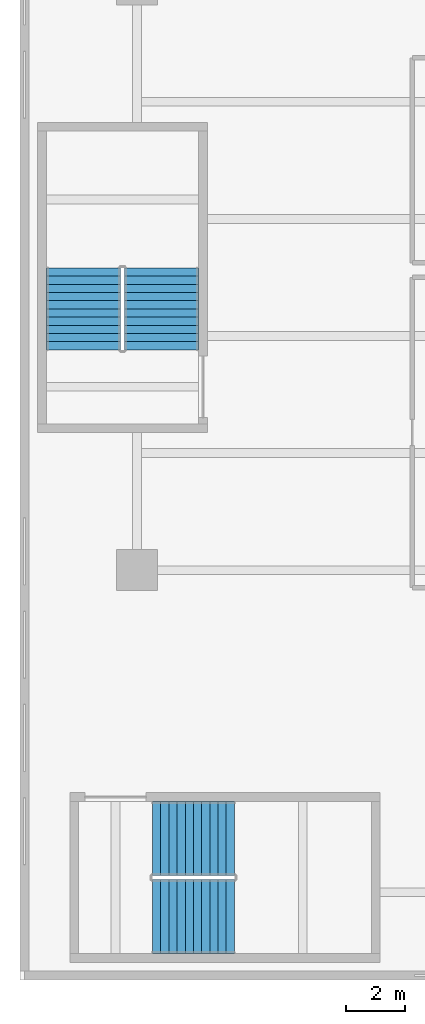
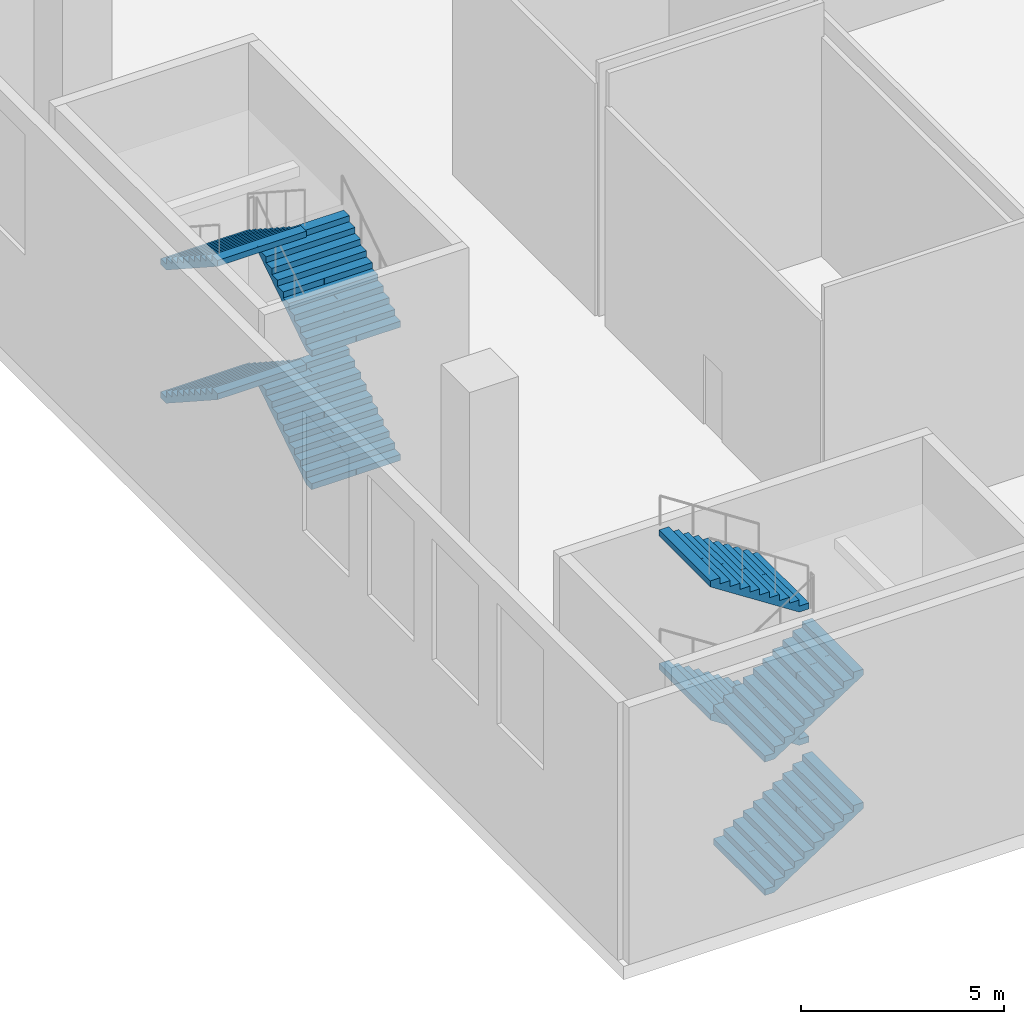
# One storey, part 13 of 27: 8 stair flights, 2 elements without a shape of their own.
"""IFC4 building model written with IfcOpenShell, lengths in metres."""

from ifc_helpers import new_model, si_unit, direction, frame, origin, place, context, subcontext, project, spatial, polyline, outline, extrude, material, type_object, element, aggregate, save


model = new_model("IFC4")

# Units and contexts
model_context = context("Model", 3, precision=1e-05, world=origin(), true_north=direction((0.0, 1.0)))
body_context = subcontext(model_context, "Body", "Model", "MODEL_VIEW")
ifc_project = project(units=[si_unit("LENGTHUNIT", "METRE"), si_unit("AREAUNIT", "SQUARE_METRE"), si_unit("VOLUMEUNIT", "CUBIC_METRE"), si_unit("PLANEANGLEUNIT", "RADIAN"), si_unit("MASSUNIT", "GRAM", prefix="KILO")], contexts=[model_context])

# Site, building, storey
site_placement = place(None, origin())
site = spatial("IfcSite", under=ifc_project, at=site_placement, CompositionType="ELEMENT")
building_placement = place(site_placement, origin())
building = spatial("IfcBuilding", under=site, at=building_placement, Name="Tel Ilan Convention Tower", CompositionType="ELEMENT")
storey_placement = place(building_placement, frame((0.0, 0.0, 18.0)))
storey = spatial("IfcBuildingStorey", under=building, at=storey_placement, Name="L02", CompositionType="ELEMENT", Elevation=18.0)

# Stair, stair flights
ifc_material_1 = material(Name="Concrete C40/50", Category="concrete")
stair_type = type_object("IfcStairType", Name="Pressurised Exit Stair 44 risers 182 mm", PredefinedType="HALF_TURN_STAIR", material=ifc_material_1)
stair_1_placement = place(storey_placement, origin())
stair_1 = element("IfcStair", 1, at=stair_1_placement, inside=storey, type_object=stair_type, Name="L02 Podium Exit Stair P1", PredefinedType="HALF_TURN_STAIR")
ifc_material_2 = material(Name="Precast Concrete C40/50", Category="concrete")
stair_flight_type = type_object("IfcStairFlightType", Name="Concrete Stair Flight 2525 mm 44 risers 182 mm", PredefinedType="STRAIGHT", material=ifc_material_2)
stair_flight_1_placement = place(storey_placement, frame((-45.47509765625, -79.83740234375, 0.0), z_axis=(0.0, 0.0, 1.0), x_axis=(1.0, 0.0, 0.0)))
stair_flight_1 = element("IfcStairFlight", 2, at=stair_flight_1_placement, type_object=stair_flight_type, Name="P1 flight 1", NumberOfRisers=11, NumberOfTreads=10, PredefinedType="STRAIGHT", RiserHeight=0.181818182, TreadLength=0.28, context=body_context, shape_type="SweptSolid", body=[
    extrude(outline(polyline([(0.0, 0.0), (0.0, 0.181884765625), (0.280029296875, 0.181884765625), (0.280029296875, 0.363525390625), (0.56005859375, 0.363525390625), (0.56005859375, 0.54541015625), (0.840087890625, 0.54541015625), (0.840087890625, 0.727294921875), (1.1201171875, 0.727294921875), (1.1201171875, 0.9091796875), (1.39990234375, 0.9091796875), (1.39990234375, 1.0908203125), (1.679931640625, 1.0908203125), (1.679931640625, 1.272705078125), (1.9599609375, 1.272705078125), (1.9599609375, 1.45458984375), (2.239990234375, 1.45458984375), (2.239990234375, 1.636474609375), (2.52001953125, 1.636474609375), (2.52001953125, 1.818115234375), (2.800048828125, 1.818115234375), (2.800048828125, 2.0), (2.800048828125, 1.639404296875), (0.275146484375, 0.0), (0.0, 0.0)])), frame((0.0, -0.100341796875, 0.0), z_axis=(0.0, -1.0, 0.0), x_axis=(1.0, 0.0, 0.0)), (0.0, 0.0, 1.0), 1.162109375),
    extrude(outline(polyline([(0.0, 0.0), (0.0, 0.181884765625), (0.280029296875, 0.181884765625), (0.280029296875, 0.363525390625), (0.56005859375, 0.363525390625), (0.56005859375, 0.54541015625), (0.840087890625, 0.54541015625), (0.840087890625, 0.727294921875), (1.1201171875, 0.727294921875), (1.1201171875, 0.9091796875), (1.39990234375, 0.9091796875), (1.39990234375, 1.0908203125), (1.679931640625, 1.0908203125), (1.679931640625, 1.272705078125), (1.9599609375, 1.272705078125), (1.9599609375, 1.45458984375), (2.239990234375, 1.45458984375), (2.239990234375, 1.636474609375), (2.52001953125, 1.636474609375), (2.52001953125, 1.818115234375), (2.800048828125, 1.818115234375), (2.800048828125, 2.0), (2.800048828125, 1.639404296875), (0.275146484375, 0.0), (0.0, 0.0)])), frame((0.0, -0.000244140625, 0.0), z_axis=(0.0, -1.0, 0.0), x_axis=(1.0, 0.0, 0.0)), (0.0, 0.0, 1.0), 0.099609375),
    extrude(outline(polyline([(0.0, 0.0), (0.0, 0.181884765625), (0.280029296875, 0.181884765625), (0.280029296875, 0.363525390625), (0.56005859375, 0.363525390625), (0.56005859375, 0.54541015625), (0.840087890625, 0.54541015625), (0.840087890625, 0.727294921875), (1.1201171875, 0.727294921875), (1.1201171875, 0.9091796875), (1.39990234375, 0.9091796875), (1.39990234375, 1.0908203125), (1.679931640625, 1.0908203125), (1.679931640625, 1.272705078125), (1.9599609375, 1.272705078125), (1.9599609375, 1.45458984375), (2.239990234375, 1.45458984375), (2.239990234375, 1.636474609375), (2.52001953125, 1.636474609375), (2.52001953125, 1.818115234375), (2.800048828125, 1.818115234375), (2.800048828125, 2.0), (2.800048828125, 1.639404296875), (0.275146484375, 0.0), (0.0, 0.0)])), frame((0.0, 0.099853515625, 0.0), z_axis=(0.0, -1.0, 0.0), x_axis=(1.0, 0.0, 0.0)), (0.0, 0.0, 1.0), 0.099609375),
    extrude(outline(polyline([(0.0, 0.0), (0.0, 0.181884765625), (0.280029296875, 0.181884765625), (0.280029296875, 0.363525390625), (0.56005859375, 0.363525390625), (0.56005859375, 0.54541015625), (0.840087890625, 0.54541015625), (0.840087890625, 0.727294921875), (1.1201171875, 0.727294921875), (1.1201171875, 0.9091796875), (1.39990234375, 0.9091796875), (1.39990234375, 1.0908203125), (1.679931640625, 1.0908203125), (1.679931640625, 1.272705078125), (1.9599609375, 1.272705078125), (1.9599609375, 1.45458984375), (2.239990234375, 1.45458984375), (2.239990234375, 1.636474609375), (2.52001953125, 1.636474609375), (2.52001953125, 1.818115234375), (2.800048828125, 1.818115234375), (2.800048828125, 2.0), (2.800048828125, 1.639404296875), (0.275146484375, 0.0), (0.0, 0.0)])), frame((0.0, 1.262451171875, 0.0), z_axis=(0.0, -1.0, 0.0), x_axis=(1.0, 0.0, 0.0)), (0.0, 0.0, 1.0), 1.162109375),
])
stair_flight_2_placement = place(storey_placement, frame((-42.675048828125, -77.16259765625, 2.0), z_axis=(0.0, 0.0, 1.0), x_axis=(-1.0, 0.0, 0.0)))
stair_flight_2 = element("IfcStairFlight", 3, at=stair_flight_2_placement, type_object=stair_flight_type, Name="P1 flight 2", NumberOfRisers=11, NumberOfTreads=10, PredefinedType="STRAIGHT", RiserHeight=0.181818182, TreadLength=0.28, context=body_context, shape_type="SweptSolid", body=[
    extrude(outline(polyline([(0.0, 0.0), (0.0, 0.181884765625), (0.280029296875, 0.181884765625), (0.280029296875, 0.363525390625), (0.56005859375, 0.363525390625), (0.56005859375, 0.54541015625), (0.840087890625, 0.54541015625), (0.840087890625, 0.727294921875), (1.1201171875, 0.727294921875), (1.1201171875, 0.9091796875), (1.39990234375, 0.9091796875), (1.39990234375, 1.0908203125), (1.679931640625, 1.0908203125), (1.679931640625, 1.272705078125), (1.9599609375, 1.272705078125), (1.9599609375, 1.45458984375), (2.239990234375, 1.45458984375), (2.239990234375, 1.636474609375), (2.52001953125, 1.636474609375), (2.52001953125, 1.818115234375), (2.800048828125, 1.818115234375), (2.800048828125, 2.0), (2.800048828125, 1.639404296875), (0.275146484375, 0.0), (0.0, 0.0)])), frame((0.0, -0.100341796875, 0.0), z_axis=(0.0, -1.0, 0.0), x_axis=(1.0, 0.0, 0.0)), (0.0, 0.0, 1.0), 1.162109375),
    extrude(outline(polyline([(0.0, 0.0), (0.0, 0.181884765625), (0.280029296875, 0.181884765625), (0.280029296875, 0.363525390625), (0.56005859375, 0.363525390625), (0.56005859375, 0.54541015625), (0.840087890625, 0.54541015625), (0.840087890625, 0.727294921875), (1.1201171875, 0.727294921875), (1.1201171875, 0.9091796875), (1.39990234375, 0.9091796875), (1.39990234375, 1.0908203125), (1.679931640625, 1.0908203125), (1.679931640625, 1.272705078125), (1.9599609375, 1.272705078125), (1.9599609375, 1.45458984375), (2.239990234375, 1.45458984375), (2.239990234375, 1.636474609375), (2.52001953125, 1.636474609375), (2.52001953125, 1.818115234375), (2.800048828125, 1.818115234375), (2.800048828125, 2.0), (2.800048828125, 1.639404296875), (0.275146484375, 0.0), (0.0, 0.0)])), frame((0.0, -0.000244140625, 0.0), z_axis=(0.0, -1.0, 0.0), x_axis=(1.0, 0.0, 0.0)), (0.0, 0.0, 1.0), 0.099609375),
    extrude(outline(polyline([(0.0, 0.0), (0.0, 0.181884765625), (0.280029296875, 0.181884765625), (0.280029296875, 0.363525390625), (0.56005859375, 0.363525390625), (0.56005859375, 0.54541015625), (0.840087890625, 0.54541015625), (0.840087890625, 0.727294921875), (1.1201171875, 0.727294921875), (1.1201171875, 0.9091796875), (1.39990234375, 0.9091796875), (1.39990234375, 1.0908203125), (1.679931640625, 1.0908203125), (1.679931640625, 1.272705078125), (1.9599609375, 1.272705078125), (1.9599609375, 1.45458984375), (2.239990234375, 1.45458984375), (2.239990234375, 1.636474609375), (2.52001953125, 1.636474609375), (2.52001953125, 1.818115234375), (2.800048828125, 1.818115234375), (2.800048828125, 2.0), (2.800048828125, 1.639404296875), (0.275146484375, 0.0), (0.0, 0.0)])), frame((0.0, 0.099853515625, 0.0), z_axis=(0.0, -1.0, 0.0), x_axis=(1.0, 0.0, 0.0)), (0.0, 0.0, 1.0), 0.099609375),
    extrude(outline(polyline([(0.0, 0.0), (0.0, 0.181884765625), (0.280029296875, 0.181884765625), (0.280029296875, 0.363525390625), (0.56005859375, 0.363525390625), (0.56005859375, 0.54541015625), (0.840087890625, 0.54541015625), (0.840087890625, 0.727294921875), (1.1201171875, 0.727294921875), (1.1201171875, 0.9091796875), (1.39990234375, 0.9091796875), (1.39990234375, 1.0908203125), (1.679931640625, 1.0908203125), (1.679931640625, 1.272705078125), (1.9599609375, 1.272705078125), (1.9599609375, 1.45458984375), (2.239990234375, 1.45458984375), (2.239990234375, 1.636474609375), (2.52001953125, 1.636474609375), (2.52001953125, 1.818115234375), (2.800048828125, 1.818115234375), (2.800048828125, 2.0), (2.800048828125, 1.639404296875), (0.275146484375, 0.0), (0.0, 0.0)])), frame((0.0, 1.262451171875, 0.0), z_axis=(0.0, -1.0, 0.0), x_axis=(1.0, 0.0, 0.0)), (0.0, 0.0, 1.0), 1.162109375),
])
stair_flight_3_placement = place(storey_placement, frame((-45.47509765625, -79.83740234375, 4.0), z_axis=(0.0, 0.0, 1.0), x_axis=(1.0, 0.0, 0.0)))
stair_flight_3 = element("IfcStairFlight", 4, at=stair_flight_3_placement, type_object=stair_flight_type, Name="P1 flight 3", NumberOfRisers=11, NumberOfTreads=10, PredefinedType="STRAIGHT", RiserHeight=0.181818182, TreadLength=0.28, context=body_context, shape_type="SweptSolid", body=[
    extrude(outline(polyline([(0.0, 0.0), (0.0, 0.181884765625), (0.280029296875, 0.181884765625), (0.280029296875, 0.363525390625), (0.56005859375, 0.363525390625), (0.56005859375, 0.54541015625), (0.840087890625, 0.54541015625), (0.840087890625, 0.727294921875), (1.1201171875, 0.727294921875), (1.1201171875, 0.9091796875), (1.39990234375, 0.9091796875), (1.39990234375, 1.0908203125), (1.679931640625, 1.0908203125), (1.679931640625, 1.272705078125), (1.9599609375, 1.272705078125), (1.9599609375, 1.45458984375), (2.239990234375, 1.45458984375), (2.239990234375, 1.636474609375), (2.52001953125, 1.636474609375), (2.52001953125, 1.818115234375), (2.800048828125, 1.818115234375), (2.800048828125, 2.0), (2.800048828125, 1.639404296875), (0.275146484375, 0.0), (0.0, 0.0)])), frame((0.0, -0.100341796875, 0.0), z_axis=(0.0, -1.0, 0.0), x_axis=(1.0, 0.0, 0.0)), (0.0, 0.0, 1.0), 1.162109375),
    extrude(outline(polyline([(0.0, 0.0), (0.0, 0.181884765625), (0.280029296875, 0.181884765625), (0.280029296875, 0.363525390625), (0.56005859375, 0.363525390625), (0.56005859375, 0.54541015625), (0.840087890625, 0.54541015625), (0.840087890625, 0.727294921875), (1.1201171875, 0.727294921875), (1.1201171875, 0.9091796875), (1.39990234375, 0.9091796875), (1.39990234375, 1.0908203125), (1.679931640625, 1.0908203125), (1.679931640625, 1.272705078125), (1.9599609375, 1.272705078125), (1.9599609375, 1.45458984375), (2.239990234375, 1.45458984375), (2.239990234375, 1.636474609375), (2.52001953125, 1.636474609375), (2.52001953125, 1.818115234375), (2.800048828125, 1.818115234375), (2.800048828125, 2.0), (2.800048828125, 1.639404296875), (0.275146484375, 0.0), (0.0, 0.0)])), frame((0.0, -0.000244140625, 0.0), z_axis=(0.0, -1.0, 0.0), x_axis=(1.0, 0.0, 0.0)), (0.0, 0.0, 1.0), 0.099609375),
    extrude(outline(polyline([(0.0, 0.0), (0.0, 0.181884765625), (0.280029296875, 0.181884765625), (0.280029296875, 0.363525390625), (0.56005859375, 0.363525390625), (0.56005859375, 0.54541015625), (0.840087890625, 0.54541015625), (0.840087890625, 0.727294921875), (1.1201171875, 0.727294921875), (1.1201171875, 0.9091796875), (1.39990234375, 0.9091796875), (1.39990234375, 1.0908203125), (1.679931640625, 1.0908203125), (1.679931640625, 1.272705078125), (1.9599609375, 1.272705078125), (1.9599609375, 1.45458984375), (2.239990234375, 1.45458984375), (2.239990234375, 1.636474609375), (2.52001953125, 1.636474609375), (2.52001953125, 1.818115234375), (2.800048828125, 1.818115234375), (2.800048828125, 2.0), (2.800048828125, 1.639404296875), (0.275146484375, 0.0), (0.0, 0.0)])), frame((0.0, 0.099853515625, 0.0), z_axis=(0.0, -1.0, 0.0), x_axis=(1.0, 0.0, 0.0)), (0.0, 0.0, 1.0), 0.099609375),
    extrude(outline(polyline([(0.0, 0.0), (0.0, 0.181884765625), (0.280029296875, 0.181884765625), (0.280029296875, 0.363525390625), (0.56005859375, 0.363525390625), (0.56005859375, 0.54541015625), (0.840087890625, 0.54541015625), (0.840087890625, 0.727294921875), (1.1201171875, 0.727294921875), (1.1201171875, 0.9091796875), (1.39990234375, 0.9091796875), (1.39990234375, 1.0908203125), (1.679931640625, 1.0908203125), (1.679931640625, 1.272705078125), (1.9599609375, 1.272705078125), (1.9599609375, 1.45458984375), (2.239990234375, 1.45458984375), (2.239990234375, 1.636474609375), (2.52001953125, 1.636474609375), (2.52001953125, 1.818115234375), (2.800048828125, 1.818115234375), (2.800048828125, 2.0), (2.800048828125, 1.639404296875), (0.275146484375, 0.0), (0.0, 0.0)])), frame((0.0, 1.262451171875, 0.0), z_axis=(0.0, -1.0, 0.0), x_axis=(1.0, 0.0, 0.0)), (0.0, 0.0, 1.0), 1.162109375),
])
stair_flight_4_placement = place(storey_placement, frame((-42.675048828125, -77.16259765625, 6.0), z_axis=(0.0, 0.0, 1.0), x_axis=(-1.0, 0.0, 0.0)))
stair_flight_4 = element("IfcStairFlight", 5, at=stair_flight_4_placement, type_object=stair_flight_type, Name="P1 flight 4", NumberOfRisers=11, NumberOfTreads=10, PredefinedType="STRAIGHT", RiserHeight=0.181818182, TreadLength=0.28, context=body_context, shape_type="SweptSolid", body=[
    extrude(outline(polyline([(0.0, 0.0), (0.0, 0.181884765625), (0.280029296875, 0.181884765625), (0.280029296875, 0.363525390625), (0.56005859375, 0.363525390625), (0.56005859375, 0.54541015625), (0.840087890625, 0.54541015625), (0.840087890625, 0.727294921875), (1.1201171875, 0.727294921875), (1.1201171875, 0.9091796875), (1.39990234375, 0.9091796875), (1.39990234375, 1.0908203125), (1.679931640625, 1.0908203125), (1.679931640625, 1.272705078125), (1.9599609375, 1.272705078125), (1.9599609375, 1.45458984375), (2.239990234375, 1.45458984375), (2.239990234375, 1.636474609375), (2.52001953125, 1.636474609375), (2.52001953125, 1.818115234375), (2.800048828125, 1.818115234375), (2.800048828125, 2.0), (2.800048828125, 1.639404296875), (0.275146484375, 0.0), (0.0, 0.0)])), frame((0.0, -0.100341796875, 0.0), z_axis=(0.0, -1.0, 0.0), x_axis=(1.0, 0.0, 0.0)), (0.0, 0.0, 1.0), 1.162109375),
    extrude(outline(polyline([(0.0, 0.0), (0.0, 0.181884765625), (0.280029296875, 0.181884765625), (0.280029296875, 0.363525390625), (0.56005859375, 0.363525390625), (0.56005859375, 0.54541015625), (0.840087890625, 0.54541015625), (0.840087890625, 0.727294921875), (1.1201171875, 0.727294921875), (1.1201171875, 0.9091796875), (1.39990234375, 0.9091796875), (1.39990234375, 1.0908203125), (1.679931640625, 1.0908203125), (1.679931640625, 1.272705078125), (1.9599609375, 1.272705078125), (1.9599609375, 1.45458984375), (2.239990234375, 1.45458984375), (2.239990234375, 1.636474609375), (2.52001953125, 1.636474609375), (2.52001953125, 1.818115234375), (2.800048828125, 1.818115234375), (2.800048828125, 2.0), (2.800048828125, 1.639404296875), (0.275146484375, 0.0), (0.0, 0.0)])), frame((0.0, -0.000244140625, 0.0), z_axis=(0.0, -1.0, 0.0), x_axis=(1.0, 0.0, 0.0)), (0.0, 0.0, 1.0), 0.099609375),
    extrude(outline(polyline([(0.0, 0.0), (0.0, 0.181884765625), (0.280029296875, 0.181884765625), (0.280029296875, 0.363525390625), (0.56005859375, 0.363525390625), (0.56005859375, 0.54541015625), (0.840087890625, 0.54541015625), (0.840087890625, 0.727294921875), (1.1201171875, 0.727294921875), (1.1201171875, 0.9091796875), (1.39990234375, 0.9091796875), (1.39990234375, 1.0908203125), (1.679931640625, 1.0908203125), (1.679931640625, 1.272705078125), (1.9599609375, 1.272705078125), (1.9599609375, 1.45458984375), (2.239990234375, 1.45458984375), (2.239990234375, 1.636474609375), (2.52001953125, 1.636474609375), (2.52001953125, 1.818115234375), (2.800048828125, 1.818115234375), (2.800048828125, 2.0), (2.800048828125, 1.639404296875), (0.275146484375, 0.0), (0.0, 0.0)])), frame((0.0, 0.099853515625, 0.0), z_axis=(0.0, -1.0, 0.0), x_axis=(1.0, 0.0, 0.0)), (0.0, 0.0, 1.0), 0.099609375),
    extrude(outline(polyline([(0.0, 0.0), (0.0, 0.181884765625), (0.280029296875, 0.181884765625), (0.280029296875, 0.363525390625), (0.56005859375, 0.363525390625), (0.56005859375, 0.54541015625), (0.840087890625, 0.54541015625), (0.840087890625, 0.727294921875), (1.1201171875, 0.727294921875), (1.1201171875, 0.9091796875), (1.39990234375, 0.9091796875), (1.39990234375, 1.0908203125), (1.679931640625, 1.0908203125), (1.679931640625, 1.272705078125), (1.9599609375, 1.272705078125), (1.9599609375, 1.45458984375), (2.239990234375, 1.45458984375), (2.239990234375, 1.636474609375), (2.52001953125, 1.636474609375), (2.52001953125, 1.818115234375), (2.800048828125, 1.818115234375), (2.800048828125, 2.0), (2.800048828125, 1.639404296875), (0.275146484375, 0.0), (0.0, 0.0)])), frame((0.0, 1.262451171875, 0.0), z_axis=(0.0, -1.0, 0.0), x_axis=(1.0, 0.0, 0.0)), (0.0, 0.0, 1.0), 1.162109375),
])
aggregate(stair_1, [stair_flight_1, stair_flight_2, stair_flight_3, stair_flight_4])

stair_2_placement = place(storey_placement, origin())
stair_2 = element("IfcStair", 6, at=stair_2_placement, inside=storey, type_object=stair_type, Name="L02 Podium Exit Stair P5", PredefinedType="HALF_TURN_STAIR")
stair_flight_5_placement = place(storey_placement, frame((-45.16259765625, -60.47509765625, 0.0), z_axis=(0.0, 0.0, 1.0), x_axis=(0.0, 1.0, 0.0)))
stair_flight_5 = element("IfcStairFlight", 7, at=stair_flight_5_placement, type_object=stair_flight_type, Name="P5 flight 1", NumberOfRisers=11, NumberOfTreads=10, PredefinedType="STRAIGHT", RiserHeight=0.181818182, TreadLength=0.28, context=body_context, shape_type="SweptSolid", body=[
    extrude(outline(polyline([(0.0, 0.0), (0.0, 0.181884765625), (0.280029296875, 0.181884765625), (0.280029296875, 0.363525390625), (0.56005859375, 0.363525390625), (0.56005859375, 0.54541015625), (0.840087890625, 0.54541015625), (0.840087890625, 0.727294921875), (1.1201171875, 0.727294921875), (1.1201171875, 0.9091796875), (1.39990234375, 0.9091796875), (1.39990234375, 1.0908203125), (1.679931640625, 1.0908203125), (1.679931640625, 1.272705078125), (1.9599609375, 1.272705078125), (1.9599609375, 1.45458984375), (2.239990234375, 1.45458984375), (2.239990234375, 1.636474609375), (2.52001953125, 1.636474609375), (2.52001953125, 1.818115234375), (2.800048828125, 1.818115234375), (2.800048828125, 2.0), (2.800048828125, 1.639404296875), (0.275146484375, 0.0), (0.0, 0.0)])), frame((0.0, -0.100341796875, 0.0), z_axis=(0.0, -1.0, 0.0), x_axis=(1.0, 0.0, 0.0)), (0.0, 0.0, 1.0), 1.162109375),
    extrude(outline(polyline([(0.0, 0.0), (0.0, 0.181884765625), (0.280029296875, 0.181884765625), (0.280029296875, 0.363525390625), (0.56005859375, 0.363525390625), (0.56005859375, 0.54541015625), (0.840087890625, 0.54541015625), (0.840087890625, 0.727294921875), (1.1201171875, 0.727294921875), (1.1201171875, 0.9091796875), (1.39990234375, 0.9091796875), (1.39990234375, 1.0908203125), (1.679931640625, 1.0908203125), (1.679931640625, 1.272705078125), (1.9599609375, 1.272705078125), (1.9599609375, 1.45458984375), (2.239990234375, 1.45458984375), (2.239990234375, 1.636474609375), (2.52001953125, 1.636474609375), (2.52001953125, 1.818115234375), (2.800048828125, 1.818115234375), (2.800048828125, 2.0), (2.800048828125, 1.639404296875), (0.275146484375, 0.0), (0.0, 0.0)])), frame((0.0, -0.000244140625, 0.0), z_axis=(0.0, -1.0, 0.0), x_axis=(1.0, 0.0, 0.0)), (0.0, 0.0, 1.0), 0.099609375),
    extrude(outline(polyline([(0.0, 0.0), (0.0, 0.181884765625), (0.280029296875, 0.181884765625), (0.280029296875, 0.363525390625), (0.56005859375, 0.363525390625), (0.56005859375, 0.54541015625), (0.840087890625, 0.54541015625), (0.840087890625, 0.727294921875), (1.1201171875, 0.727294921875), (1.1201171875, 0.9091796875), (1.39990234375, 0.9091796875), (1.39990234375, 1.0908203125), (1.679931640625, 1.0908203125), (1.679931640625, 1.272705078125), (1.9599609375, 1.272705078125), (1.9599609375, 1.45458984375), (2.239990234375, 1.45458984375), (2.239990234375, 1.636474609375), (2.52001953125, 1.636474609375), (2.52001953125, 1.818115234375), (2.800048828125, 1.818115234375), (2.800048828125, 2.0), (2.800048828125, 1.639404296875), (0.275146484375, 0.0), (0.0, 0.0)])), frame((0.0, 0.099853515625, 0.0), z_axis=(0.0, -1.0, 0.0), x_axis=(1.0, 0.0, 0.0)), (0.0, 0.0, 1.0), 0.099609375),
    extrude(outline(polyline([(0.0, 0.0), (0.0, 0.181884765625), (0.280029296875, 0.181884765625), (0.280029296875, 0.363525390625), (0.56005859375, 0.363525390625), (0.56005859375, 0.54541015625), (0.840087890625, 0.54541015625), (0.840087890625, 0.727294921875), (1.1201171875, 0.727294921875), (1.1201171875, 0.9091796875), (1.39990234375, 0.9091796875), (1.39990234375, 1.0908203125), (1.679931640625, 1.0908203125), (1.679931640625, 1.272705078125), (1.9599609375, 1.272705078125), (1.9599609375, 1.45458984375), (2.239990234375, 1.45458984375), (2.239990234375, 1.636474609375), (2.52001953125, 1.636474609375), (2.52001953125, 1.818115234375), (2.800048828125, 1.818115234375), (2.800048828125, 2.0), (2.800048828125, 1.639404296875), (0.275146484375, 0.0), (0.0, 0.0)])), frame((0.0, 1.262451171875, 0.0), z_axis=(0.0, -1.0, 0.0), x_axis=(1.0, 0.0, 0.0)), (0.0, 0.0, 1.0), 1.162109375),
])
stair_flight_6_placement = place(storey_placement, frame((-47.83740234375, -57.675048828125, 2.0), z_axis=(0.0, 0.0, 1.0), x_axis=(0.0, -1.0, 0.0)))
stair_flight_6 = element("IfcStairFlight", 8, at=stair_flight_6_placement, type_object=stair_flight_type, Name="P5 flight 2", NumberOfRisers=11, NumberOfTreads=10, PredefinedType="STRAIGHT", RiserHeight=0.181818182, TreadLength=0.28, context=body_context, shape_type="SweptSolid", body=[
    extrude(outline(polyline([(0.0, 0.0), (0.0, 0.181884765625), (0.280029296875, 0.181884765625), (0.280029296875, 0.363525390625), (0.56005859375, 0.363525390625), (0.56005859375, 0.54541015625), (0.840087890625, 0.54541015625), (0.840087890625, 0.727294921875), (1.1201171875, 0.727294921875), (1.1201171875, 0.9091796875), (1.39990234375, 0.9091796875), (1.39990234375, 1.0908203125), (1.679931640625, 1.0908203125), (1.679931640625, 1.272705078125), (1.9599609375, 1.272705078125), (1.9599609375, 1.45458984375), (2.239990234375, 1.45458984375), (2.239990234375, 1.636474609375), (2.52001953125, 1.636474609375), (2.52001953125, 1.818115234375), (2.800048828125, 1.818115234375), (2.800048828125, 2.0), (2.800048828125, 1.639404296875), (0.275146484375, 0.0), (0.0, 0.0)])), frame((0.0, -0.100341796875, 0.0), z_axis=(0.0, -1.0, 0.0), x_axis=(1.0, 0.0, 0.0)), (0.0, 0.0, 1.0), 1.162109375),
    extrude(outline(polyline([(0.0, 0.0), (0.0, 0.181884765625), (0.280029296875, 0.181884765625), (0.280029296875, 0.363525390625), (0.56005859375, 0.363525390625), (0.56005859375, 0.54541015625), (0.840087890625, 0.54541015625), (0.840087890625, 0.727294921875), (1.1201171875, 0.727294921875), (1.1201171875, 0.9091796875), (1.39990234375, 0.9091796875), (1.39990234375, 1.0908203125), (1.679931640625, 1.0908203125), (1.679931640625, 1.272705078125), (1.9599609375, 1.272705078125), (1.9599609375, 1.45458984375), (2.239990234375, 1.45458984375), (2.239990234375, 1.636474609375), (2.52001953125, 1.636474609375), (2.52001953125, 1.818115234375), (2.800048828125, 1.818115234375), (2.800048828125, 2.0), (2.800048828125, 1.639404296875), (0.275146484375, 0.0), (0.0, 0.0)])), frame((0.0, -0.000244140625, 0.0), z_axis=(0.0, -1.0, 0.0), x_axis=(1.0, 0.0, 0.0)), (0.0, 0.0, 1.0), 0.099609375),
    extrude(outline(polyline([(0.0, 0.0), (0.0, 0.181884765625), (0.280029296875, 0.181884765625), (0.280029296875, 0.363525390625), (0.56005859375, 0.363525390625), (0.56005859375, 0.54541015625), (0.840087890625, 0.54541015625), (0.840087890625, 0.727294921875), (1.1201171875, 0.727294921875), (1.1201171875, 0.9091796875), (1.39990234375, 0.9091796875), (1.39990234375, 1.0908203125), (1.679931640625, 1.0908203125), (1.679931640625, 1.272705078125), (1.9599609375, 1.272705078125), (1.9599609375, 1.45458984375), (2.239990234375, 1.45458984375), (2.239990234375, 1.636474609375), (2.52001953125, 1.636474609375), (2.52001953125, 1.818115234375), (2.800048828125, 1.818115234375), (2.800048828125, 2.0), (2.800048828125, 1.639404296875), (0.275146484375, 0.0), (0.0, 0.0)])), frame((0.0, 0.099853515625, 0.0), z_axis=(0.0, -1.0, 0.0), x_axis=(1.0, 0.0, 0.0)), (0.0, 0.0, 1.0), 0.099609375),
    extrude(outline(polyline([(0.0, 0.0), (0.0, 0.181884765625), (0.280029296875, 0.181884765625), (0.280029296875, 0.363525390625), (0.56005859375, 0.363525390625), (0.56005859375, 0.54541015625), (0.840087890625, 0.54541015625), (0.840087890625, 0.727294921875), (1.1201171875, 0.727294921875), (1.1201171875, 0.9091796875), (1.39990234375, 0.9091796875), (1.39990234375, 1.0908203125), (1.679931640625, 1.0908203125), (1.679931640625, 1.272705078125), (1.9599609375, 1.272705078125), (1.9599609375, 1.45458984375), (2.239990234375, 1.45458984375), (2.239990234375, 1.636474609375), (2.52001953125, 1.636474609375), (2.52001953125, 1.818115234375), (2.800048828125, 1.818115234375), (2.800048828125, 2.0), (2.800048828125, 1.639404296875), (0.275146484375, 0.0), (0.0, 0.0)])), frame((0.0, 1.262451171875, 0.0), z_axis=(0.0, -1.0, 0.0), x_axis=(1.0, 0.0, 0.0)), (0.0, 0.0, 1.0), 1.162109375),
])
stair_flight_7_placement = place(storey_placement, frame((-45.16259765625, -60.47509765625, 4.0), z_axis=(0.0, 0.0, 1.0), x_axis=(0.0, 1.0, 0.0)))
stair_flight_7 = element("IfcStairFlight", 9, at=stair_flight_7_placement, type_object=stair_flight_type, Name="P5 flight 3", NumberOfRisers=11, NumberOfTreads=10, PredefinedType="STRAIGHT", RiserHeight=0.181818182, TreadLength=0.28, context=body_context, shape_type="SweptSolid", body=[
    extrude(outline(polyline([(0.0, 0.0), (0.0, 0.181884765625), (0.280029296875, 0.181884765625), (0.280029296875, 0.363525390625), (0.56005859375, 0.363525390625), (0.56005859375, 0.54541015625), (0.840087890625, 0.54541015625), (0.840087890625, 0.727294921875), (1.1201171875, 0.727294921875), (1.1201171875, 0.9091796875), (1.39990234375, 0.9091796875), (1.39990234375, 1.0908203125), (1.679931640625, 1.0908203125), (1.679931640625, 1.272705078125), (1.9599609375, 1.272705078125), (1.9599609375, 1.45458984375), (2.239990234375, 1.45458984375), (2.239990234375, 1.636474609375), (2.52001953125, 1.636474609375), (2.52001953125, 1.818115234375), (2.800048828125, 1.818115234375), (2.800048828125, 2.0), (2.800048828125, 1.639404296875), (0.275146484375, 0.0), (0.0, 0.0)])), frame((0.0, -0.100341796875, 0.0), z_axis=(0.0, -1.0, 0.0), x_axis=(1.0, 0.0, 0.0)), (0.0, 0.0, 1.0), 1.162109375),
    extrude(outline(polyline([(0.0, 0.0), (0.0, 0.181884765625), (0.280029296875, 0.181884765625), (0.280029296875, 0.363525390625), (0.56005859375, 0.363525390625), (0.56005859375, 0.54541015625), (0.840087890625, 0.54541015625), (0.840087890625, 0.727294921875), (1.1201171875, 0.727294921875), (1.1201171875, 0.9091796875), (1.39990234375, 0.9091796875), (1.39990234375, 1.0908203125), (1.679931640625, 1.0908203125), (1.679931640625, 1.272705078125), (1.9599609375, 1.272705078125), (1.9599609375, 1.45458984375), (2.239990234375, 1.45458984375), (2.239990234375, 1.636474609375), (2.52001953125, 1.636474609375), (2.52001953125, 1.818115234375), (2.800048828125, 1.818115234375), (2.800048828125, 2.0), (2.800048828125, 1.639404296875), (0.275146484375, 0.0), (0.0, 0.0)])), frame((0.0, -0.000244140625, 0.0), z_axis=(0.0, -1.0, 0.0), x_axis=(1.0, 0.0, 0.0)), (0.0, 0.0, 1.0), 0.099609375),
    extrude(outline(polyline([(0.0, 0.0), (0.0, 0.181884765625), (0.280029296875, 0.181884765625), (0.280029296875, 0.363525390625), (0.56005859375, 0.363525390625), (0.56005859375, 0.54541015625), (0.840087890625, 0.54541015625), (0.840087890625, 0.727294921875), (1.1201171875, 0.727294921875), (1.1201171875, 0.9091796875), (1.39990234375, 0.9091796875), (1.39990234375, 1.0908203125), (1.679931640625, 1.0908203125), (1.679931640625, 1.272705078125), (1.9599609375, 1.272705078125), (1.9599609375, 1.45458984375), (2.239990234375, 1.45458984375), (2.239990234375, 1.636474609375), (2.52001953125, 1.636474609375), (2.52001953125, 1.818115234375), (2.800048828125, 1.818115234375), (2.800048828125, 2.0), (2.800048828125, 1.639404296875), (0.275146484375, 0.0), (0.0, 0.0)])), frame((0.0, 0.099853515625, 0.0), z_axis=(0.0, -1.0, 0.0), x_axis=(1.0, 0.0, 0.0)), (0.0, 0.0, 1.0), 0.099609375),
    extrude(outline(polyline([(0.0, 0.0), (0.0, 0.181884765625), (0.280029296875, 0.181884765625), (0.280029296875, 0.363525390625), (0.56005859375, 0.363525390625), (0.56005859375, 0.54541015625), (0.840087890625, 0.54541015625), (0.840087890625, 0.727294921875), (1.1201171875, 0.727294921875), (1.1201171875, 0.9091796875), (1.39990234375, 0.9091796875), (1.39990234375, 1.0908203125), (1.679931640625, 1.0908203125), (1.679931640625, 1.272705078125), (1.9599609375, 1.272705078125), (1.9599609375, 1.45458984375), (2.239990234375, 1.45458984375), (2.239990234375, 1.636474609375), (2.52001953125, 1.636474609375), (2.52001953125, 1.818115234375), (2.800048828125, 1.818115234375), (2.800048828125, 2.0), (2.800048828125, 1.639404296875), (0.275146484375, 0.0), (0.0, 0.0)])), frame((0.0, 1.262451171875, 0.0), z_axis=(0.0, -1.0, 0.0), x_axis=(1.0, 0.0, 0.0)), (0.0, 0.0, 1.0), 1.162109375),
])
stair_flight_8_placement = place(storey_placement, frame((-47.83740234375, -57.675048828125, 6.0), z_axis=(0.0, 0.0, 1.0), x_axis=(0.0, -1.0, 0.0)))
stair_flight_8 = element("IfcStairFlight", 10, at=stair_flight_8_placement, type_object=stair_flight_type, Name="P5 flight 4", NumberOfRisers=11, NumberOfTreads=10, PredefinedType="STRAIGHT", RiserHeight=0.181818182, TreadLength=0.28, context=body_context, shape_type="SweptSolid", body=[
    extrude(outline(polyline([(0.0, 0.0), (0.0, 0.181884765625), (0.280029296875, 0.181884765625), (0.280029296875, 0.363525390625), (0.56005859375, 0.363525390625), (0.56005859375, 0.54541015625), (0.840087890625, 0.54541015625), (0.840087890625, 0.727294921875), (1.1201171875, 0.727294921875), (1.1201171875, 0.9091796875), (1.39990234375, 0.9091796875), (1.39990234375, 1.0908203125), (1.679931640625, 1.0908203125), (1.679931640625, 1.272705078125), (1.9599609375, 1.272705078125), (1.9599609375, 1.45458984375), (2.239990234375, 1.45458984375), (2.239990234375, 1.636474609375), (2.52001953125, 1.636474609375), (2.52001953125, 1.818115234375), (2.800048828125, 1.818115234375), (2.800048828125, 2.0), (2.800048828125, 1.639404296875), (0.275146484375, 0.0), (0.0, 0.0)])), frame((0.0, -0.100341796875, 0.0), z_axis=(0.0, -1.0, 0.0), x_axis=(1.0, 0.0, 0.0)), (0.0, 0.0, 1.0), 1.162109375),
    extrude(outline(polyline([(0.0, 0.0), (0.0, 0.181884765625), (0.280029296875, 0.181884765625), (0.280029296875, 0.363525390625), (0.56005859375, 0.363525390625), (0.56005859375, 0.54541015625), (0.840087890625, 0.54541015625), (0.840087890625, 0.727294921875), (1.1201171875, 0.727294921875), (1.1201171875, 0.9091796875), (1.39990234375, 0.9091796875), (1.39990234375, 1.0908203125), (1.679931640625, 1.0908203125), (1.679931640625, 1.272705078125), (1.9599609375, 1.272705078125), (1.9599609375, 1.45458984375), (2.239990234375, 1.45458984375), (2.239990234375, 1.636474609375), (2.52001953125, 1.636474609375), (2.52001953125, 1.818115234375), (2.800048828125, 1.818115234375), (2.800048828125, 2.0), (2.800048828125, 1.639404296875), (0.275146484375, 0.0), (0.0, 0.0)])), frame((0.0, -0.000244140625, 0.0), z_axis=(0.0, -1.0, 0.0), x_axis=(1.0, 0.0, 0.0)), (0.0, 0.0, 1.0), 0.099609375),
    extrude(outline(polyline([(0.0, 0.0), (0.0, 0.181884765625), (0.280029296875, 0.181884765625), (0.280029296875, 0.363525390625), (0.56005859375, 0.363525390625), (0.56005859375, 0.54541015625), (0.840087890625, 0.54541015625), (0.840087890625, 0.727294921875), (1.1201171875, 0.727294921875), (1.1201171875, 0.9091796875), (1.39990234375, 0.9091796875), (1.39990234375, 1.0908203125), (1.679931640625, 1.0908203125), (1.679931640625, 1.272705078125), (1.9599609375, 1.272705078125), (1.9599609375, 1.45458984375), (2.239990234375, 1.45458984375), (2.239990234375, 1.636474609375), (2.52001953125, 1.636474609375), (2.52001953125, 1.818115234375), (2.800048828125, 1.818115234375), (2.800048828125, 2.0), (2.800048828125, 1.639404296875), (0.275146484375, 0.0), (0.0, 0.0)])), frame((0.0, 0.099853515625, 0.0), z_axis=(0.0, -1.0, 0.0), x_axis=(1.0, 0.0, 0.0)), (0.0, 0.0, 1.0), 0.099609375),
    extrude(outline(polyline([(0.0, 0.0), (0.0, 0.181884765625), (0.280029296875, 0.181884765625), (0.280029296875, 0.363525390625), (0.56005859375, 0.363525390625), (0.56005859375, 0.54541015625), (0.840087890625, 0.54541015625), (0.840087890625, 0.727294921875), (1.1201171875, 0.727294921875), (1.1201171875, 0.9091796875), (1.39990234375, 0.9091796875), (1.39990234375, 1.0908203125), (1.679931640625, 1.0908203125), (1.679931640625, 1.272705078125), (1.9599609375, 1.272705078125), (1.9599609375, 1.45458984375), (2.239990234375, 1.45458984375), (2.239990234375, 1.636474609375), (2.52001953125, 1.636474609375), (2.52001953125, 1.818115234375), (2.800048828125, 1.818115234375), (2.800048828125, 2.0), (2.800048828125, 1.639404296875), (0.275146484375, 0.0), (0.0, 0.0)])), frame((0.0, 1.262451171875, 0.0), z_axis=(0.0, -1.0, 0.0), x_axis=(1.0, 0.0, 0.0)), (0.0, 0.0, 1.0), 1.162109375),
])
aggregate(stair_2, [stair_flight_5, stair_flight_6, stair_flight_7, stair_flight_8])

save(model, "model.ifc")
